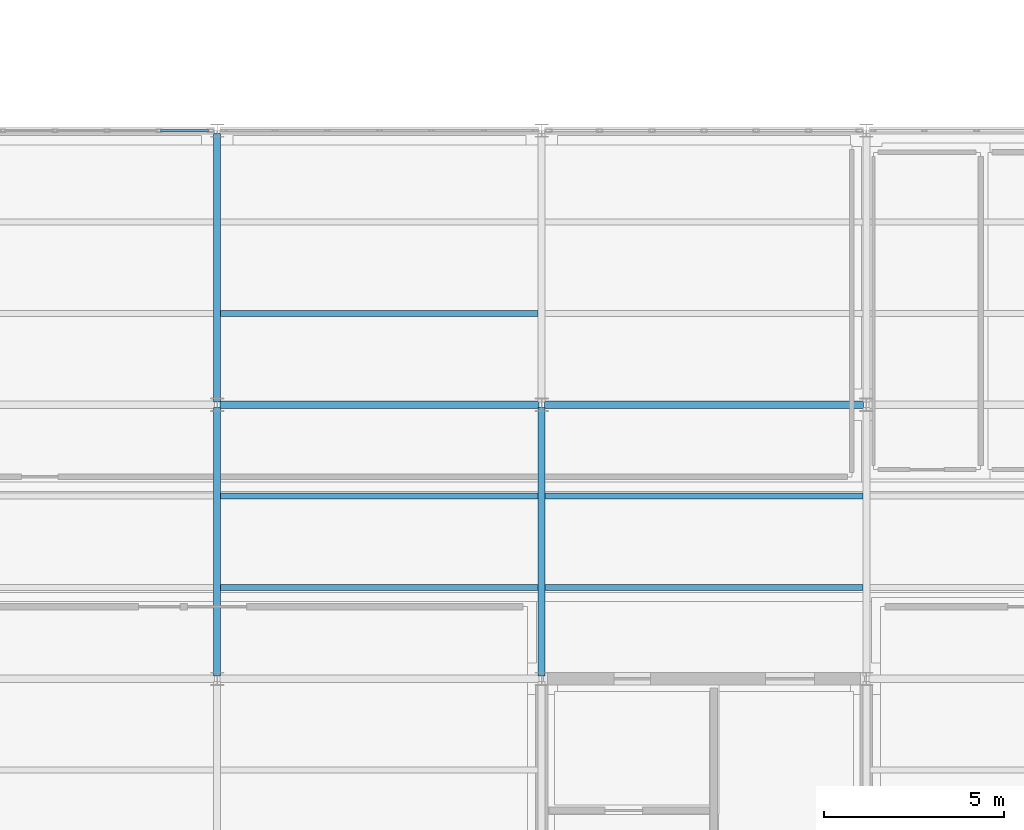
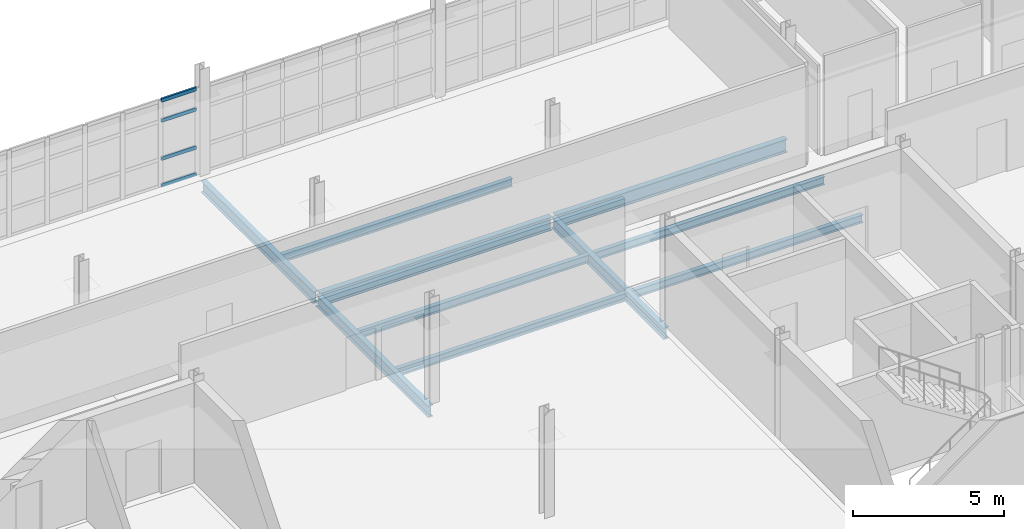
# One storey, part 54 of 174: 10 beams, 4 members, 1 element without a shape of its own.
"""IFC4 building model written with IfcOpenShell, lengths in metres."""

from ifc_helpers import new_model, si_unit, direction, frame, origin, origin_2d, place, context, subcontext, project, spatial, hollow_rectangle, i_section, extrude, material, material_profile, profile_set, type_object, element, aggregate, save


model = new_model("IFC4")

# Units and contexts
model_context = context("Model", 3, precision=1e-05, world=origin(), true_north=direction((0.0, 1.0)))
body_context = subcontext(model_context, "Body", "Model", "MODEL_VIEW")
ifc_project = project(units=[si_unit("LENGTHUNIT", "METRE"), si_unit("AREAUNIT", "SQUARE_METRE"), si_unit("VOLUMEUNIT", "CUBIC_METRE"), si_unit("PLANEANGLEUNIT", "RADIAN"), si_unit("MASSUNIT", "GRAM", prefix="KILO")], contexts=[model_context])

# Site, building, storey
site_placement = place(None, origin())
site = spatial("IfcSite", under=ifc_project, at=site_placement, CompositionType="ELEMENT")
building_placement = place(site_placement, origin())
building = spatial("IfcBuilding", under=site, at=building_placement, Name="Caisbarro Railhouse Central Library", CompositionType="ELEMENT")
storey_placement = place(building_placement, frame((0.0, 0.0, 5.0400390625)))
storey = spatial("IfcBuildingStorey", under=building, at=storey_placement, Name="L01", CompositionType="ELEMENT", Elevation=5.0400390625)

# Beams
ifc_material_1 = material(Name="Steel ASTM A572 Grade 50", Category="steel")
ifc_material_profile_1 = material_profile(ifc_material_1, i_section(OverallWidth=0.2119140625, OverallDepth=0.5439453125, WebThickness=0.01318359375, FlangeThickness=0.021240234375, FilletRadius=0.02001953125, at=origin_2d()), Name="W530X123.0")
ifc_profile_set_1 = profile_set([ifc_material_profile_1], Name="Steel ASTM A572 Grade 50")
beam_type_1 = type_object("IfcBeamType", Name="BM-G05", PredefinedType="BEAM", material=ifc_profile_set_1)
for number, where, z_axis, x_axis, name in (
    (1, (81.080078125, 22.800048828125, -0.511962890625), (1.0, 0.0, 0.0), (0.0, 1.0, 0.0), "G05 beam L01 #713"),
    (2, (90.080078125, 22.800048828125, -0.511962890625), (1.0, 0.0, 0.0), (0.0, 1.0, 0.0), "G05 beam L01 #714"),
):
    element("IfcBeam", number, at=place(storey_placement, frame(where, z_axis=z_axis, x_axis=x_axis)), inside=storey, type_object=beam_type_1, Name=name, PredefinedType="BEAM", context=body_context, shape_type="SweptSolid", body=[
        extrude(i_section(OverallWidth=0.2119140625, OverallDepth=0.5439453125, WebThickness=0.01318359375, FlangeThickness=0.021240234375, FilletRadius=0.02001953125, at=origin_2d()), origin(), (0.0, 0.0, 1.0), 8.83984375),
    ])
ifc_material_profile_2 = material_profile(ifc_material_1, i_section(OverallWidth=0.194091796875, OverallDepth=0.468994140625, WebThickness=0.0126953125, FlangeThickness=0.0205078125, FilletRadius=0.01806640625, at=origin_2d()), Name="W460X106.0")
ifc_profile_set_2 = profile_set([ifc_material_profile_2], Name="Steel ASTM A572 Grade 50")
beam_type_2 = type_object("IfcBeamType", Name="BM-G07", PredefinedType="BEAM", material=ifc_profile_set_2)
beam_1_placement = place(storey_placement, frame((81.0, 15.280029296875, -0.474609375), z_axis=(0.0, 1.0, 0.0), x_axis=(-1.0, 0.0, 0.0)))
element("IfcBeam", 3, at=beam_1_placement, inside=storey, type_object=beam_type_2, Name="G07 beam L01 #736", PredefinedType="BEAM", context=body_context, shape_type="SweptSolid", body=[
    extrude(i_section(OverallWidth=0.194091796875, OverallDepth=0.468994140625, WebThickness=0.0126953125, FlangeThickness=0.0205078125, FilletRadius=0.01806640625, at=origin_2d()), origin(), (0.0, 0.0, 1.0), 7.43994140625),
])
beam_2_placement = place(storey_placement, frame((81.0, 22.8798828125, -0.474609375), z_axis=(0.0, 1.0, 0.0), x_axis=(-1.0, 0.0, 0.0)))
element("IfcBeam", 4, at=beam_2_placement, inside=storey, type_object=beam_type_2, Name="G07 beam L01 #737", PredefinedType="BEAM", context=body_context, shape_type="SweptSolid", body=[
    extrude(i_section(OverallWidth=0.194091796875, OverallDepth=0.468994140625, WebThickness=0.0126953125, FlangeThickness=0.0205078125, FilletRadius=0.01806640625, at=origin_2d()), origin(), (0.0, 0.0, 1.0), 7.440185546875),
])
beam_3_placement = place(storey_placement, frame((90.0, 15.280029296875, -0.474609375), z_axis=(0.0, 1.0, 0.0), x_axis=(-1.0, 0.0, 0.0)))
element("IfcBeam", 5, at=beam_3_placement, inside=storey, type_object=beam_type_2, Name="G07 beam L01 #740", PredefinedType="BEAM", context=body_context, shape_type="SweptSolid", body=[
    extrude(i_section(OverallWidth=0.194091796875, OverallDepth=0.468994140625, WebThickness=0.0126953125, FlangeThickness=0.0205078125, FilletRadius=0.01806640625, at=origin_2d()), origin(), (0.0, 0.0, 1.0), 7.43994140625),
])
ifc_material_profile_3 = material_profile(ifc_material_1, i_section(OverallWidth=0.1669921875, OverallDepth=0.31689453125, WebThickness=0.007568359375, FlangeThickness=0.01318359375, FilletRadius=0.011962890625, at=origin_2d()), Name="W310X52.0")
ifc_profile_set_3 = profile_set([ifc_material_profile_3], Name="Steel ASTM A572 Grade 50")
beam_type_3 = type_object("IfcBeamType", Name="BM-J02", PredefinedType="JOIST", material=ifc_profile_set_3)
for number, where, z_axis, x_axis, name in (
    (6, (81.096923828125, 17.7333984375, -0.3984375), (1.0, 0.0, 0.0), (0.0, 1.0, 0.0), "J02 beam L01 #774"),
    (7, (81.096923828125, 20.2666015625, -0.3984375), (1.0, 0.0, 0.0), (0.0, 1.0, 0.0), "J02 beam L01 #775"),
    (8, (81.096923828125, 25.333251953125, -0.3984375), (1.0, 0.0, 0.0), (0.0, 1.0, 0.0), "J02 beam L01 #776"),
    (9, (90.096923828125, 17.7333984375, -0.3984375), (1.0, 0.0, 0.0), (0.0, 1.0, 0.0), "J02 beam L01 #778"),
    (10, (90.096923828125, 20.2666015625, -0.3984375), (1.0, 0.0, 0.0), (0.0, 1.0, 0.0), "J02 beam L01 #779"),
):
    element("IfcBeam", number, at=place(storey_placement, frame(where, z_axis=z_axis, x_axis=x_axis)), inside=storey, type_object=beam_type_3, Name=name, PredefinedType="JOIST", context=body_context, shape_type="SweptSolid", body=[
        extrude(i_section(OverallWidth=0.1669921875, OverallDepth=0.31689453125, WebThickness=0.007568359375, FlangeThickness=0.01318359375, FilletRadius=0.011962890625, at=origin_2d()), origin(), (0.0, 0.0, 1.0), 8.80615234375),
    ])

# Curtain wall, members
ifc_material_2 = material(Name="Anodised architectural aluminium", Category="aluminium")
curtain_wall_type = type_object("IfcCurtainWallType", Name="CW-CW02", PredefinedType="NOTDEFINED", material=ifc_material_2)
curtain_wall_placement = place(storey_placement, origin())
curtain_wall = element("IfcCurtainWall", 11, at=curtain_wall_placement, inside=storey, type_object=curtain_wall_type, Name="CW02 curtain wall L01 #54", PredefinedType="NOTDEFINED")
ifc_material_profile_4 = material_profile(ifc_material_2, hollow_rectangle(XDim=0.074951171875, YDim=0.139892578125, WallThickness=0.00390625, at=origin_2d()), Name="ALU-TRN-75X140")
ifc_profile_set_4 = profile_set([ifc_material_profile_4], Name="Anodised architectural aluminium")
member_type = type_object("IfcMemberType", Name="CWT-T01", PredefinedType="USERDEFINED", material=ifc_profile_set_4)
member_1_placement = place(storey_placement, frame((79.430908203125, 30.39990234375, 0.037353515625), z_axis=(1.0, 0.0, 0.0), x_axis=(0.0, 1.0, 0.0)))
member_1 = element("IfcMember", 12, at=member_1_placement, type_object=member_type, Name="CW02 transom 6.1", ObjectType="TRANSOM", PredefinedType="USERDEFINED", context=body_context, shape_type="SweptSolid", body=[
    extrude(hollow_rectangle(XDim=0.074951171875, YDim=0.139892578125, WallThickness=0.00390625, at=origin_2d()), origin(), (0.0, 0.0, 1.0), 1.333984375),
])
member_2_placement = place(storey_placement, frame((79.430908203125, 30.39990234375, 1.119873046875), z_axis=(1.0, 0.0, 0.0), x_axis=(0.0, 1.0, 0.0)))
member_2 = element("IfcMember", 13, at=member_2_placement, type_object=member_type, Name="CW02 transom 6.2", ObjectType="TRANSOM", PredefinedType="USERDEFINED", context=body_context, shape_type="SweptSolid", body=[
    extrude(hollow_rectangle(XDim=0.074951171875, YDim=0.139892578125, WallThickness=0.00390625, at=origin_2d()), origin(), (0.0, 0.0, 1.0), 1.333984375),
])
member_3_placement = place(storey_placement, frame((79.430908203125, 30.39990234375, 2.659912109375), z_axis=(1.0, 0.0, 0.0), x_axis=(0.0, 1.0, 0.0)))
member_3 = element("IfcMember", 14, at=member_3_placement, type_object=member_type, Name="CW02 transom 6.3", ObjectType="TRANSOM", PredefinedType="USERDEFINED", context=body_context, shape_type="SweptSolid", body=[
    extrude(hollow_rectangle(XDim=0.074951171875, YDim=0.139892578125, WallThickness=0.00390625, at=origin_2d()), origin(), (0.0, 0.0, 1.0), 1.333984375),
])
member_4_placement = place(storey_placement, frame((79.430908203125, 30.39990234375, 3.472412109375), z_axis=(1.0, 0.0, 0.0), x_axis=(0.0, 1.0, 0.0)))
member_4 = element("IfcMember", 15, at=member_4_placement, type_object=member_type, Name="CW02 transom 6.4", ObjectType="TRANSOM", PredefinedType="USERDEFINED", context=body_context, shape_type="SweptSolid", body=[
    extrude(hollow_rectangle(XDim=0.074951171875, YDim=0.139892578125, WallThickness=0.00390625, at=origin_2d()), origin(), (0.0, 0.0, 1.0), 1.333984375),
])
aggregate(curtain_wall, [member_1, member_2, member_3, member_4])

save(model, "model.ifc")
